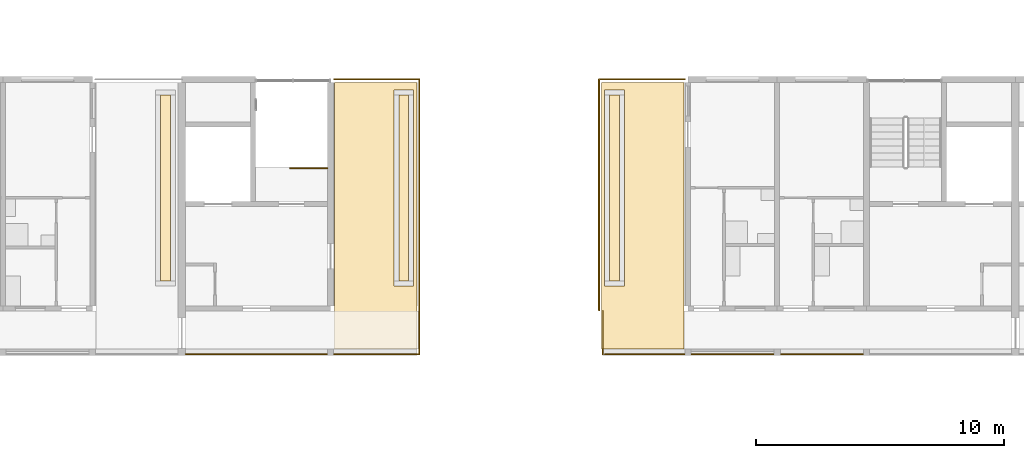
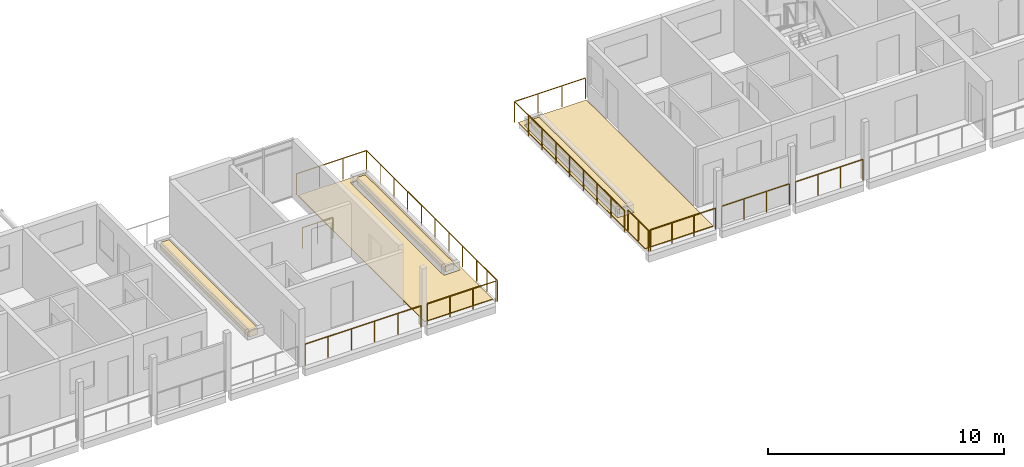
# One storey, part 77 of 94: 10 railings, 7 coverings.
"""IFC4 building model written with IfcOpenShell, lengths in metres."""

from ifc_helpers import new_model, si_unit, direction, frame, origin, origin_2d, place, context, subcontext, project, spatial, polyline, circle, outline, extrude, material, layer, layer_set, type_object, element, save


model = new_model("IFC4")

# Units and contexts
model_context = context("Model", 3, precision=1e-05, world=origin(), true_north=direction((0.0, 1.0)))
body_context = subcontext(model_context, "Body", "Model", "MODEL_VIEW")
ifc_project = project(units=[si_unit("LENGTHUNIT", "METRE"), si_unit("AREAUNIT", "SQUARE_METRE"), si_unit("VOLUMEUNIT", "CUBIC_METRE"), si_unit("PLANEANGLEUNIT", "RADIAN"), si_unit("MASSUNIT", "GRAM", prefix="KILO")], contexts=[model_context])

# Site, building, storey
site_placement = place(None, origin())
site = spatial("IfcSite", under=ifc_project, at=site_placement, CompositionType="ELEMENT")
building_placement = place(site_placement, origin())
building = spatial("IfcBuilding", under=site, at=building_placement, Name="Ridgestep Commons", CompositionType="ELEMENT")
storey_placement = place(building_placement, frame((0.0, 0.0, 24.0)))
storey = spatial("IfcBuildingStorey", under=building, at=storey_placement, Name="L08", CompositionType="ELEMENT", Elevation=24.0)

# Railings
ifc_material_1 = material(Name="Structural steel S355JR", Category="steel")
railing_type_1 = type_object("IfcRailingType", Name="Guard 1100", PredefinedType="GUARDRAIL", material=ifc_material_1)
railing_1_placement = place(storey_placement, frame((55.178955078125, 67.821044921875, 0.0)))
element("IfcRailing", 1, at=railing_1_placement, inside=storey, type_object=railing_type_1, Name="Guard TD-B3R3-GD", PredefinedType="GUARDRAIL", context=body_context, shape_type="SweptSolid", body=[
    extrude(circle(Radius=0.02392578125, at=origin_2d()), frame((0.0, 0.0, 1.076171875), z_axis=(0.0, 1.0, 0.0), x_axis=(-1.0, 0.0, 0.0)), (0.0, 0.0, 1.0), 9.303955078125),
    extrude(circle(Radius=0.02392578125, at=origin_2d()), frame((0.0, 9.303955078125, 1.076171875), z_axis=(-1.0, 0.0, 0.0), x_axis=(0.0, -1.0, 0.0)), (0.0, 0.0, 1.0), 3.432861328125),
    extrude(circle(Radius=0.02099609375, at=origin_2d()), origin(), (0.0, 0.0, 1.0), 1.052001953125),
    extrude(circle(Radius=0.02099609375, at=origin_2d()), frame((0.0, 1.1630859375, 0.0)), (0.0, 0.0, 1.0), 1.052001953125),
    extrude(circle(Radius=0.02099609375, at=origin_2d()), frame((0.0, 2.325927734375, 0.0)), (0.0, 0.0, 1.0), 1.052001953125),
    extrude(circle(Radius=0.02099609375, at=origin_2d()), frame((0.0, 3.489013671875, 0.0)), (0.0, 0.0, 1.0), 1.052001953125),
    extrude(circle(Radius=0.02099609375, at=origin_2d()), frame((0.0, 4.65185546875, 0.0)), (0.0, 0.0, 1.0), 1.052001953125),
    extrude(circle(Radius=0.02099609375, at=origin_2d()), frame((0.0, 5.81494140625, 0.0)), (0.0, 0.0, 1.0), 1.052001953125),
    extrude(circle(Radius=0.02099609375, at=origin_2d()), frame((0.0, 6.97802734375, 0.0)), (0.0, 0.0, 1.0), 1.052001953125),
    extrude(circle(Radius=0.02099609375, at=origin_2d()), frame((0.0, 8.140869140625, 0.0)), (0.0, 0.0, 1.0), 1.052001953125),
    extrude(circle(Radius=0.02099609375, at=origin_2d()), frame((0.0, 9.303955078125, 0.0)), (0.0, 0.0, 1.0), 1.052001953125),
    extrude(circle(Radius=0.02099609375, at=origin_2d()), frame((-1.144287109375, 9.303955078125, 0.0)), (0.0, 0.0, 1.0), 1.052001953125),
    extrude(circle(Radius=0.02099609375, at=origin_2d()), frame((-2.28857421875, 9.303955078125, 0.0)), (0.0, 0.0, 1.0), 1.052001953125),
    extrude(circle(Radius=0.02099609375, at=origin_2d()), frame((-3.432861328125, 9.303955078125, 0.0)), (0.0, 0.0, 1.0), 1.052001953125),
])
railing_2_placement = place(storey_placement, frame((62.4208984375, 67.821044921875, 0.0)))
element("IfcRailing", 2, at=railing_2_placement, inside=storey, type_object=railing_type_1, Name="Guard TD-B4R1-GD", PredefinedType="GUARDRAIL", context=body_context, shape_type="SweptSolid", body=[
    extrude(circle(Radius=0.02392578125, at=origin_2d()), frame((0.0, 0.0, 1.076171875), z_axis=(0.0, 1.0, 0.0), x_axis=(-1.0, 0.0, 0.0)), (0.0, 0.0, 1.0), 9.303955078125),
    extrude(circle(Radius=0.02392578125, at=origin_2d()), frame((0.0, 9.303955078125, 1.076171875), z_axis=(1.0, 0.0, 0.0), x_axis=(0.0, 1.0, 0.0)), (0.0, 0.0, 1.0), 3.4580078125),
    extrude(circle(Radius=0.02099609375, at=origin_2d()), origin(), (0.0, 0.0, 1.0), 1.052001953125),
    extrude(circle(Radius=0.02099609375, at=origin_2d()), frame((0.0, 1.1630859375, 0.0)), (0.0, 0.0, 1.0), 1.052001953125),
    extrude(circle(Radius=0.02099609375, at=origin_2d()), frame((0.0, 2.325927734375, 0.0)), (0.0, 0.0, 1.0), 1.052001953125),
    extrude(circle(Radius=0.02099609375, at=origin_2d()), frame((0.0, 3.489013671875, 0.0)), (0.0, 0.0, 1.0), 1.052001953125),
    extrude(circle(Radius=0.02099609375, at=origin_2d()), frame((0.0, 4.65185546875, 0.0)), (0.0, 0.0, 1.0), 1.052001953125),
    extrude(circle(Radius=0.02099609375, at=origin_2d()), frame((0.0, 5.81494140625, 0.0)), (0.0, 0.0, 1.0), 1.052001953125),
    extrude(circle(Radius=0.02099609375, at=origin_2d()), frame((0.0, 6.97802734375, 0.0)), (0.0, 0.0, 1.0), 1.052001953125),
    extrude(circle(Radius=0.02099609375, at=origin_2d()), frame((0.0, 8.140869140625, 0.0)), (0.0, 0.0, 1.0), 1.052001953125),
    extrude(circle(Radius=0.02099609375, at=origin_2d()), frame((0.0, 9.303955078125, 0.0)), (0.0, 0.0, 1.0), 1.052001953125),
    extrude(circle(Radius=0.02099609375, at=origin_2d()), frame((1.152587890625, 9.303955078125, 0.0)), (0.0, 0.0, 1.0), 1.052001953125),
    extrude(circle(Radius=0.02099609375, at=origin_2d()), frame((2.305419921875, 9.303955078125, 0.0)), (0.0, 0.0, 1.0), 1.052001953125),
    extrude(circle(Radius=0.02099609375, at=origin_2d()), frame((3.4580078125, 9.303955078125, 0.0)), (0.0, 0.0, 1.0), 1.052001953125),
])
railing_3_placement = place(storey_placement, frame((45.77099609375, 66.050048828125, 0.0)))
element("IfcRailing", 3, at=railing_3_placement, inside=storey, type_object=railing_type_1, Name="Gallery guard B 08.7", PredefinedType="GUARDRAIL", context=body_context, shape_type="SweptSolid", body=[
    extrude(circle(Radius=0.02392578125, at=origin_2d()), frame((0.0, 0.0, 1.076171875), z_axis=(1.0, 0.0, 0.0), x_axis=(0.0, 1.0, 0.0)), (0.0, 0.0, 1.0), 5.68310546875),
    extrude(circle(Radius=0.02099609375, at=origin_2d()), origin(), (0.0, 0.0, 1.0), 1.052001953125),
    extrude(circle(Radius=0.02099609375, at=origin_2d()), frame((1.13671875, 0.0, 0.0)), (0.0, 0.0, 1.0), 1.052001953125),
    extrude(circle(Radius=0.02099609375, at=origin_2d()), frame((2.273193359375, 0.0, 0.0)), (0.0, 0.0, 1.0), 1.052001953125),
    extrude(circle(Radius=0.02099609375, at=origin_2d()), frame((3.409912109375, 0.0, 0.0)), (0.0, 0.0, 1.0), 1.052001953125),
    extrude(circle(Radius=0.02099609375, at=origin_2d()), frame((4.54638671875, 0.0, 0.0)), (0.0, 0.0, 1.0), 1.052001953125),
    extrude(circle(Radius=0.02099609375, at=origin_2d()), frame((5.68310546875, 0.0, 0.0)), (0.0, 0.0, 1.0), 1.052001953125),
])
railing_4_placement = place(storey_placement, frame((51.74609375, 66.050048828125, 0.0)))
element("IfcRailing", 4, at=railing_4_placement, inside=storey, type_object=railing_type_1, Name="Gallery guard B 08.8", PredefinedType="GUARDRAIL", context=body_context, shape_type="SweptSolid", body=[
    extrude(circle(Radius=0.02392578125, at=origin_2d()), frame((0.0, 0.0, 1.076171875), z_axis=(1.0, 0.0, 0.0), x_axis=(0.0, 1.0, 0.0)), (0.0, 0.0, 1.0), 3.369873046875),
    extrude(circle(Radius=0.02099609375, at=origin_2d()), origin(), (0.0, 0.0, 1.0), 1.052001953125),
    extrude(circle(Radius=0.02099609375, at=origin_2d()), frame((1.123291015625, 0.0, 0.0)), (0.0, 0.0, 1.0), 1.052001953125),
    extrude(circle(Radius=0.02099609375, at=origin_2d()), frame((2.24658203125, 0.0, 0.0)), (0.0, 0.0, 1.0), 1.052001953125),
    extrude(circle(Radius=0.02099609375, at=origin_2d()), frame((3.369873046875, 0.0, 0.0)), (0.0, 0.0, 1.0), 1.052001953125),
])
railing_5_placement = place(storey_placement, frame((55.178955078125, 66.050048828125, 0.0)))
element("IfcRailing", 5, at=railing_5_placement, inside=storey, type_object=railing_type_1, Name="Gallery end guard B 08.8E", PredefinedType="GUARDRAIL", context=body_context, shape_type="SweptSolid", body=[
    extrude(circle(Radius=0.02392578125, at=origin_2d()), frame((0.0, 0.0, 1.076171875), z_axis=(0.0, 1.0, 0.0), x_axis=(-1.0, 0.0, 0.0)), (0.0, 0.0, 1.0), 1.72900390625),
    extrude(circle(Radius=0.02099609375, at=origin_2d()), origin(), (0.0, 0.0, 1.0), 1.052001953125),
    extrude(circle(Radius=0.02099609375, at=origin_2d()), frame((0.0, 0.864501953125, 0.0)), (0.0, 0.0, 1.0), 1.052001953125),
    extrude(circle(Radius=0.02099609375, at=origin_2d()), frame((0.0, 1.72900390625, 0.0)), (0.0, 0.0, 1.0), 1.052001953125),
])
railing_6_placement = place(storey_placement, frame((62.660888671875, 66.050048828125, 0.0)))
element("IfcRailing", 6, at=railing_6_placement, inside=storey, type_object=railing_type_1, Name="Gallery guard B 08.1", PredefinedType="GUARDRAIL", context=body_context, shape_type="SweptSolid", body=[
    extrude(circle(Radius=0.02392578125, at=origin_2d()), frame((0.0, 0.0, 1.076171875), z_axis=(1.0, 0.0, 0.0), x_axis=(0.0, 1.0, 0.0)), (0.0, 0.0, 1.0), 3.193115234375),
    extrude(circle(Radius=0.02099609375, at=origin_2d()), origin(), (0.0, 0.0, 1.0), 1.052001953125),
    extrude(circle(Radius=0.02099609375, at=origin_2d()), frame((1.064453125, 0.0, 0.0)), (0.0, 0.0, 1.0), 1.052001953125),
    extrude(circle(Radius=0.02099609375, at=origin_2d()), frame((2.128662109375, 0.0, 0.0)), (0.0, 0.0, 1.0), 1.052001953125),
    extrude(circle(Radius=0.02099609375, at=origin_2d()), frame((3.193115234375, 0.0, 0.0)), (0.0, 0.0, 1.0), 1.052001953125),
])
railing_7_placement = place(storey_placement, frame((62.571044921875, 66.050048828125, 0.0)))
element("IfcRailing", 7, at=railing_7_placement, inside=storey, type_object=railing_type_1, Name="Gallery end guard B 08.1W", PredefinedType="GUARDRAIL", context=body_context, shape_type="SweptSolid", body=[
    extrude(circle(Radius=0.02392578125, at=origin_2d()), frame((0.0, 0.0, 1.076171875), z_axis=(0.0, 1.0, 0.0), x_axis=(-1.0, 0.0, 0.0)), (0.0, 0.0, 1.0), 1.72900390625),
    extrude(circle(Radius=0.02099609375, at=origin_2d()), origin(), (0.0, 0.0, 1.0), 1.052001953125),
    extrude(circle(Radius=0.02099609375, at=origin_2d()), frame((0.0, 0.864501953125, 0.0)), (0.0, 0.0, 1.0), 1.052001953125),
    extrude(circle(Radius=0.02099609375, at=origin_2d()), frame((0.0, 1.72900390625, 0.0)), (0.0, 0.0, 1.0), 1.052001953125),
])
railing_8_placement = place(storey_placement, frame((66.14599609375, 66.050048828125, 0.0)))
element("IfcRailing", 8, at=railing_8_placement, inside=storey, type_object=railing_type_1, Name="Gallery guard B 08.2", PredefinedType="GUARDRAIL", context=body_context, shape_type="SweptSolid", body=[
    extrude(circle(Radius=0.02392578125, at=origin_2d()), frame((0.0, 0.0, 1.076171875), z_axis=(1.0, 0.0, 0.0), x_axis=(0.0, 1.0, 0.0)), (0.0, 0.0, 1.0), 3.30810546875),
    extrude(circle(Radius=0.02099609375, at=origin_2d()), origin(), (0.0, 0.0, 1.0), 1.052001953125),
    extrude(circle(Radius=0.02099609375, at=origin_2d()), frame((1.102783203125, 0.0, 0.0)), (0.0, 0.0, 1.0), 1.052001953125),
    extrude(circle(Radius=0.02099609375, at=origin_2d()), frame((2.205322265625, 0.0, 0.0)), (0.0, 0.0, 1.0), 1.052001953125),
    extrude(circle(Radius=0.02099609375, at=origin_2d()), frame((3.30810546875, 0.0, 0.0)), (0.0, 0.0, 1.0), 1.052001953125),
])
railing_9_placement = place(storey_placement, frame((69.74609375, 66.050048828125, 0.0)))
element("IfcRailing", 9, at=railing_9_placement, inside=storey, type_object=railing_type_1, Name="Gallery guard B 08.3", PredefinedType="GUARDRAIL", context=body_context, shape_type="SweptSolid", body=[
    extrude(circle(Radius=0.02392578125, at=origin_2d()), frame((0.0, 0.0, 1.076171875), z_axis=(1.0, 0.0, 0.0), x_axis=(0.0, 1.0, 0.0)), (0.0, 0.0, 1.0), 3.307861328125),
    extrude(circle(Radius=0.02099609375, at=origin_2d()), origin(), (0.0, 0.0, 1.0), 1.052001953125),
    extrude(circle(Radius=0.02099609375, at=origin_2d()), frame((1.1025390625, 0.0, 0.0)), (0.0, 0.0, 1.0), 1.052001953125),
    extrude(circle(Radius=0.02099609375, at=origin_2d()), frame((2.205322265625, 0.0, 0.0)), (0.0, 0.0, 1.0), 1.052001953125),
    extrude(circle(Radius=0.02099609375, at=origin_2d()), frame((3.307861328125, 0.0, 0.0)), (0.0, 0.0, 1.0), 1.052001953125),
])

# Coverings
ifc_material_2 = material(Name="Planting soil")
ifc_layer_1 = layer(ifc_material_2, 0.35009765625)
ifc_layer_set_1 = layer_set([ifc_layer_1], Name="Planting soil 350")
covering_type_1 = type_object("IfcCoveringType", Name="Planting soil 350", PredefinedType="FLOORING", material=ifc_layer_set_1)
covering_1_placement = place(storey_placement, frame((0.0, 0.0, 0.010009765625)))
element("IfcCovering", 10, at=covering_1_placement, inside=storey, type_object=covering_type_1, Name="Planting soil B2R1", PredefinedType="FLOORING", context=body_context, shape_type="SweptSolid", body=[
    extrude(outline(polyline([(44.75, 69.0), (45.14990234375, 69.0), (45.14990234375, 76.5), (44.75, 76.5), (44.75, 69.0)])), origin(), (0.0, 0.0, 1.0), 0.35009765625),
])
covering_2_placement = place(storey_placement, frame((0.0, 0.0, 0.010009765625)))
element("IfcCovering", 11, at=covering_2_placement, inside=storey, type_object=covering_type_1, Name="Planting soil B3R3", PredefinedType="FLOORING", context=body_context, shape_type="SweptSolid", body=[
    extrude(outline(polyline([(54.35009765625, 69.0), (54.75, 69.0), (54.75, 76.5), (54.35009765625, 76.5), (54.35009765625, 69.0)])), origin(), (0.0, 0.0, 1.0), 0.35009765625),
])
covering_3_placement = place(storey_placement, frame((0.0, 0.0, 0.010009765625)))
element("IfcCovering", 12, at=covering_3_placement, inside=storey, type_object=covering_type_1, Name="Planting soil B4R1", PredefinedType="FLOORING", context=body_context, shape_type="SweptSolid", body=[
    extrude(outline(polyline([(62.85009765625, 69.0), (63.25, 69.0), (63.25, 76.5), (62.85009765625, 76.5), (62.85009765625, 69.0)])), origin(), (0.0, 0.0, 1.0), 0.35009765625),
])

# Railing
ifc_material_3 = material(Name="Structural steel S355JR", Category="steel")
railing_type_2 = type_object("IfcRailingType", Name="Stair guard 1100", PredefinedType="GUARDRAIL", material=ifc_material_3)
railing_10_placement = place(storey_placement, frame((51.47509765625, 73.550048828125, 0.0)))
element("IfcRailing", 13, at=railing_10_placement, inside=storey, type_object=railing_type_2, Name="L08 B3C top well guard 1", PredefinedType="GUARDRAIL", context=body_context, shape_type="SweptSolid", body=[
    extrude(circle(Radius=0.02392578125, at=origin_2d()), frame((0.0, 0.0, 1.076171875), z_axis=(-1.0, 0.0, 0.0), x_axis=(0.0, -1.0, 0.0)), (0.0, 0.0, 1.0), 1.5),
    extrude(circle(Radius=0.02099609375, at=origin_2d()), origin(), (0.0, 0.0, 1.0), 1.052001953125),
    extrude(circle(Radius=0.02099609375, at=origin_2d()), frame((-0.75, 0.0, 0.0)), (0.0, 0.0, 1.0), 1.052001953125),
    extrude(circle(Radius=0.02099609375, at=origin_2d()), frame((-1.5, 0.0, 0.0)), (0.0, 0.0, 1.0), 1.052001953125),
])

# Coverings
ifc_material_4 = material(Name="Bitumen membrane, two layer")
ifc_layer_2 = layer(ifc_material_4, 0.010009765625)
ifc_layer_set_2 = layer_set([ifc_layer_2], Name="Terrace membrane 10")
covering_type_2 = type_object("IfcCoveringType", Name="Terrace membrane 10", PredefinedType="ROOFING", material=ifc_layer_set_2)
covering_4_placement = place(storey_placement, origin())
element("IfcCovering", 14, at=covering_4_placement, inside=storey, type_object=covering_type_2, Name="Terrace membrane B3R3", PredefinedType="ROOFING", context=body_context, shape_type="SweptSolid", body=[
    extrude(outline(polyline([(55.074951171875, 66.25), (55.074951171875, 77.0), (51.75, 77.0), (51.75, 66.25), (55.074951171875, 66.25)]), holes=[polyline([(54.949951171875, 68.800048828125), (54.949951171875, 76.699951171875), (54.14990234375, 76.699951171875), (54.14990234375, 68.800048828125), (54.949951171875, 68.800048828125)])]), origin(), (0.0, 0.0, 1.0), 0.010009765625),
])
covering_5_placement = place(storey_placement, origin())
element("IfcCovering", 15, at=covering_5_placement, inside=storey, type_object=covering_type_2, Name="Terrace membrane B4R1", PredefinedType="ROOFING", context=body_context, shape_type="SweptSolid", body=[
    extrude(outline(polyline([(65.85009765625, 66.25), (65.85009765625, 77.0), (62.52490234375, 77.0), (62.52490234375, 66.25), (65.85009765625, 66.25)]), holes=[polyline([(63.449951171875, 68.800048828125), (63.449951171875, 76.699951171875), (62.64990234375, 76.699951171875), (62.64990234375, 68.800048828125), (63.449951171875, 68.800048828125)])]), origin(), (0.0, 0.0, 1.0), 0.010009765625),
])
ifc_material_5 = material(Name="Concrete paving slab", Category="concrete")
ifc_layer_3 = layer(ifc_material_5, 0.030029296875)
ifc_layer_set_3 = layer_set([ifc_layer_3], Name="Terrace paving 30")
covering_type_3 = type_object("IfcCoveringType", Name="Terrace paving 30", PredefinedType="FLOORING", material=ifc_layer_set_3)
covering_6_placement = place(storey_placement, frame((0.0, 0.0, 0.010009765625)))
element("IfcCovering", 16, at=covering_6_placement, inside=storey, type_object=covering_type_3, Name="Terrace paving B3R3", PredefinedType="FLOORING", context=body_context, shape_type="SweptSolid", body=[
    extrude(outline(polyline([(55.074951171875, 66.25), (55.074951171875, 77.0), (51.75, 77.0), (51.75, 66.25), (55.074951171875, 66.25)]), holes=[polyline([(54.949951171875, 68.800048828125), (54.949951171875, 76.699951171875), (54.14990234375, 76.699951171875), (54.14990234375, 68.800048828125), (54.949951171875, 68.800048828125)])]), origin(), (0.0, 0.0, 1.0), 0.030029296875),
])
covering_7_placement = place(storey_placement, frame((0.0, 0.0, 0.010009765625)))
element("IfcCovering", 17, at=covering_7_placement, inside=storey, type_object=covering_type_3, Name="Terrace paving B4R1", PredefinedType="FLOORING", context=body_context, shape_type="SweptSolid", body=[
    extrude(outline(polyline([(65.85009765625, 66.25), (65.85009765625, 77.0), (62.52490234375, 77.0), (62.52490234375, 66.25), (65.85009765625, 66.25)]), holes=[polyline([(63.449951171875, 68.800048828125), (63.449951171875, 76.699951171875), (62.64990234375, 76.699951171875), (62.64990234375, 68.800048828125), (63.449951171875, 68.800048828125)])]), origin(), (0.0, 0.0, 1.0), 0.030029296875),
])

save(model, "model.ifc")
